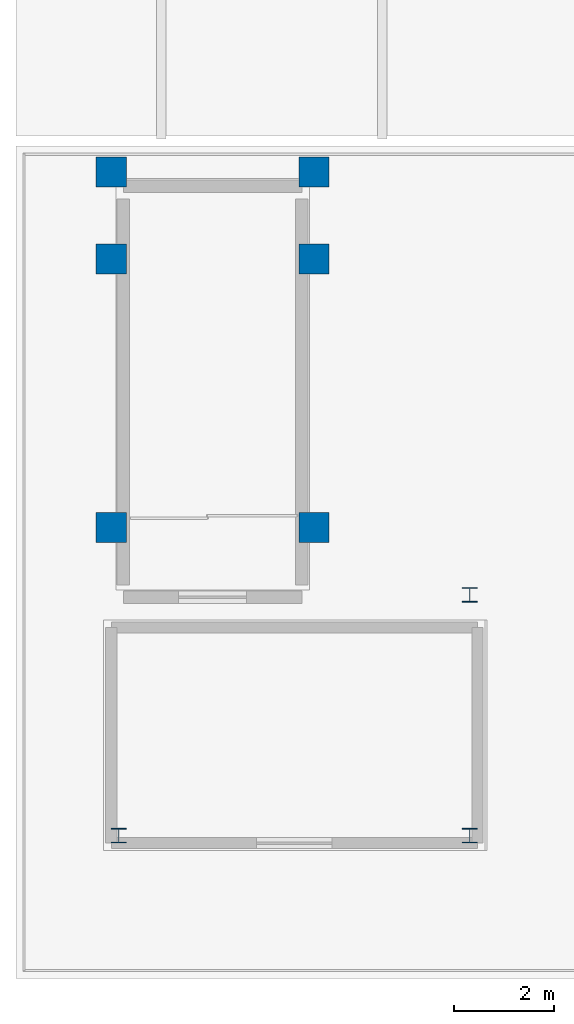
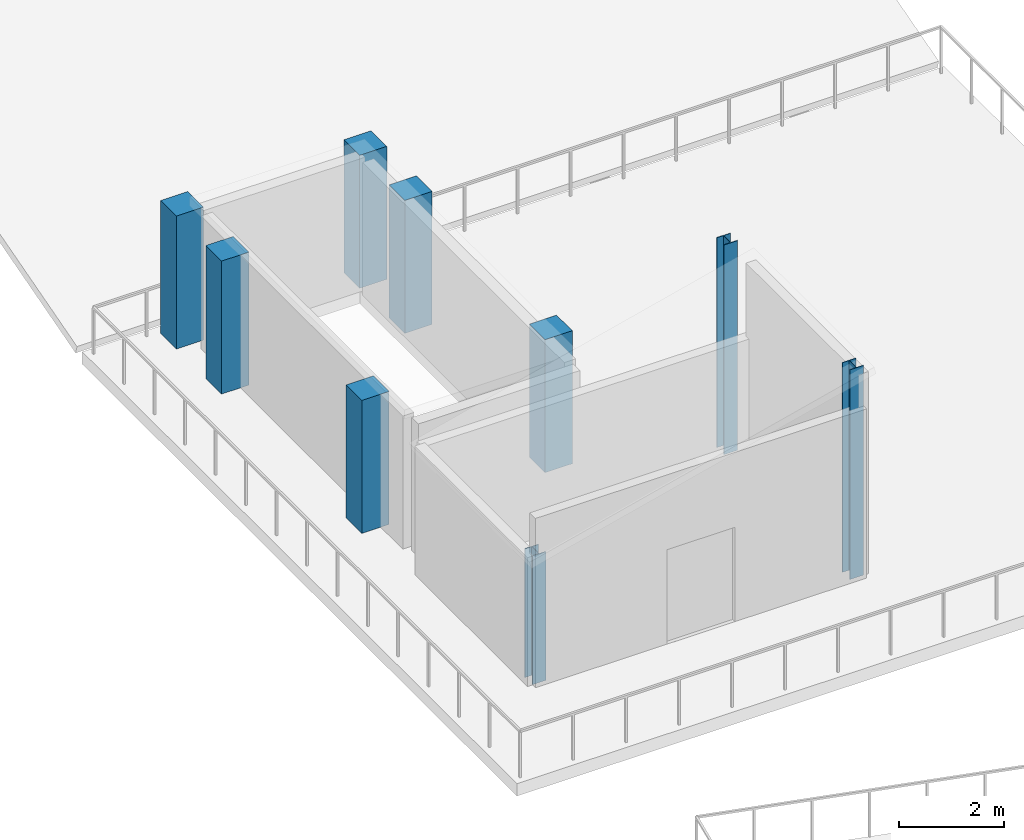
# One storey, part 8 of 53: 9 columns.
"""IFC4 building model written with IfcOpenShell, lengths in metres."""

from ifc_helpers import new_model, si_unit, direction, frame, origin, origin_2d, place, context, subcontext, project, spatial, rectangle, i_section, extrude, material, material_profile, profile_set, type_object, element, save


model = new_model("IFC4")

# Units and contexts
model_context = context("Model", 3, precision=1e-05, world=origin(), true_north=direction((0.0, 1.0)))
body_context = subcontext(model_context, "Body", "Model", "MODEL_VIEW")
ifc_project = project(units=[si_unit("LENGTHUNIT", "METRE"), si_unit("AREAUNIT", "SQUARE_METRE"), si_unit("VOLUMEUNIT", "CUBIC_METRE"), si_unit("PLANEANGLEUNIT", "RADIAN"), si_unit("MASSUNIT", "GRAM", prefix="KILO")], contexts=[model_context])

# Site, building, storey
site_placement = place(None, origin())
site = spatial("IfcSite", under=ifc_project, at=site_placement, CompositionType="ELEMENT")
building_placement = place(site_placement, origin())
building = spatial("IfcBuilding", under=site, at=building_placement, Name="Saryqyr Civic Hall", CompositionType="ELEMENT")
storey_placement = place(building_placement, frame((0.0, 0.0, 21.300048828125)))
storey = spatial("IfcBuildingStorey", under=building, at=storey_placement, Name="L05", CompositionType="ELEMENT", Elevation=21.300048828125)

# Columns
ifc_material_1 = material(Name="Steel S355", Category="steel")
ifc_material_profile_1 = material_profile(ifc_material_1, i_section(OverallWidth=0.300048828125, OverallDepth=0.2900390625, WebThickness=0.008544921875, FlangeThickness=0.013916015625, at=origin_2d()), Name="HEA 300")
ifc_profile_set_1 = profile_set([ifc_material_profile_1], Name="Steel S355")
column_type_1 = type_object("IfcColumnType", Name="STR-COL-HEA300-S355", PredefinedType="COLUMN", material=ifc_profile_set_1)
column_placement = place(storey_placement, frame((9.64990234375, 103.64990234375, 0.0), z_axis=(0.0, 0.0, 1.0), x_axis=(1.0, 0.0, 0.0)))
element("IfcColumn", 1, at=column_placement, inside=storey, type_object=column_type_1, Name="Column RGV3-COL-1-L05", PredefinedType="COLUMN", context=body_context, shape_type="SweptSolid", body=[
    extrude(i_section(OverallWidth=0.300048828125, OverallDepth=0.2900390625, WebThickness=0.008544921875, FlangeThickness=0.013916015625, at=origin_2d()), origin(), (0.0, 0.0, 1.0), 3.0),
])
for number, where, z_axis, x_axis, name in (
    (2, (16.64990234375, 103.64990234375, 0.0), (0.0, 0.0, 1.0), (1.0, 0.0, 0.0), "Column RGV3-COL-2-L05"),
    (3, (16.64990234375, 108.449951171875, 0.0), (0.0, 0.0, 1.0), (1.0, 0.0, 0.0), "Column RGV3-COL-3-L05"),
):
    element("IfcColumn", number, at=place(storey_placement, frame(where, z_axis=z_axis, x_axis=x_axis)), inside=storey, type_object=column_type_1, Name=name, PredefinedType="COLUMN", context=body_context, shape_type="SweptSolid", body=[
        extrude(i_section(OverallWidth=0.300048828125, OverallDepth=0.2900390625, WebThickness=0.008544921875, FlangeThickness=0.013916015625, at=origin_2d()), origin(), (0.0, 0.0, 1.0), 4.887939453125),
    ])
ifc_material_2 = material(Name="Concrete C40/50", Category="concrete")
ifc_material_profile_2 = material_profile(ifc_material_2, rectangle(XDim=0.60009765625, YDim=0.60009765625, at=origin_2d()), Name="RC 600x600")
ifc_profile_set_2 = profile_set([ifc_material_profile_2], Name="Concrete C40/50")
column_type_2 = type_object("IfcColumnType", Name="STR-COL-RC600-C40", PredefinedType="COLUMN", material=ifc_profile_set_2)
for number, where, z_axis, x_axis, name in (
    (4, (13.5400390625, 109.794921875, 0.0), (0.0, 0.0, 1.0), (1.0, 0.0, 0.0), "Column ST-3-SCOL-TRMA-L05"),
    (5, (9.5, 109.794921875, 0.0), (0.0, 0.0, 1.0), (1.0, 0.0, 0.0), "Column ST-3-SCOL-TRMB-L05"),
    (6, (13.5400390625, 115.14990234375, 0.0), (0.0, 0.0, 1.0), (1.0, 0.0, 0.0), "Column ST-3-SCOL-LND1A-L05"),
    (7, (9.5, 115.14990234375, 0.0), (0.0, 0.0, 1.0), (1.0, 0.0, 0.0), "Column ST-3-SCOL-LND1B-L05"),
    (8, (13.5400390625, 116.8798828125, 0.0), (0.0, 0.0, 1.0), (1.0, 0.0, 0.0), "Column ST-3-SCOL-LND2A-L05"),
    (9, (9.5, 116.8798828125, 0.0), (0.0, 0.0, 1.0), (1.0, 0.0, 0.0), "Column ST-3-SCOL-LND2B-L05"),
):
    element("IfcColumn", number, at=place(storey_placement, frame(where, z_axis=z_axis, x_axis=x_axis)), inside=storey, type_object=column_type_2, Name=name, PredefinedType="COLUMN", context=body_context, shape_type="SweptSolid", body=[
        extrude(rectangle(XDim=0.60009765625, YDim=0.60009765625, at=origin_2d()), origin(), (0.0, 0.0, 1.0), 3.099853515625),
    ])

save(model, "model.ifc")
